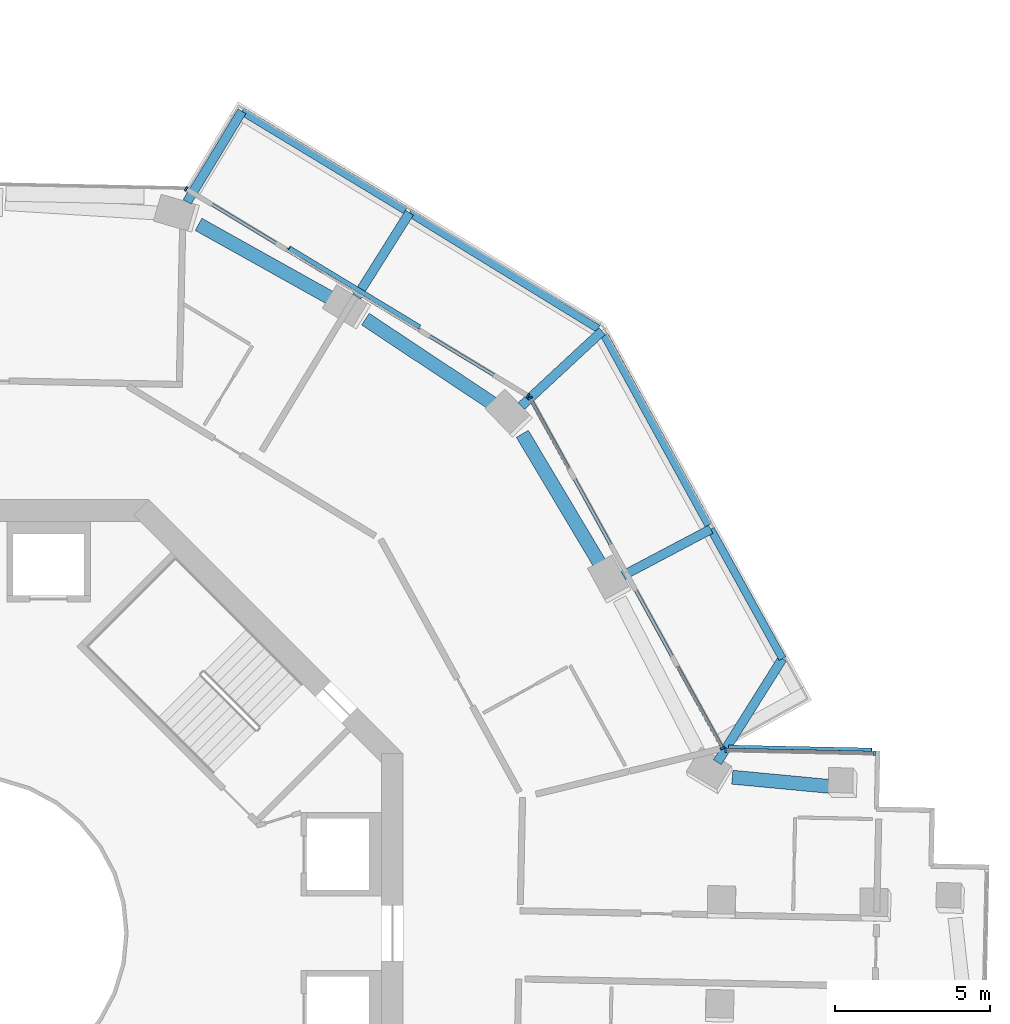
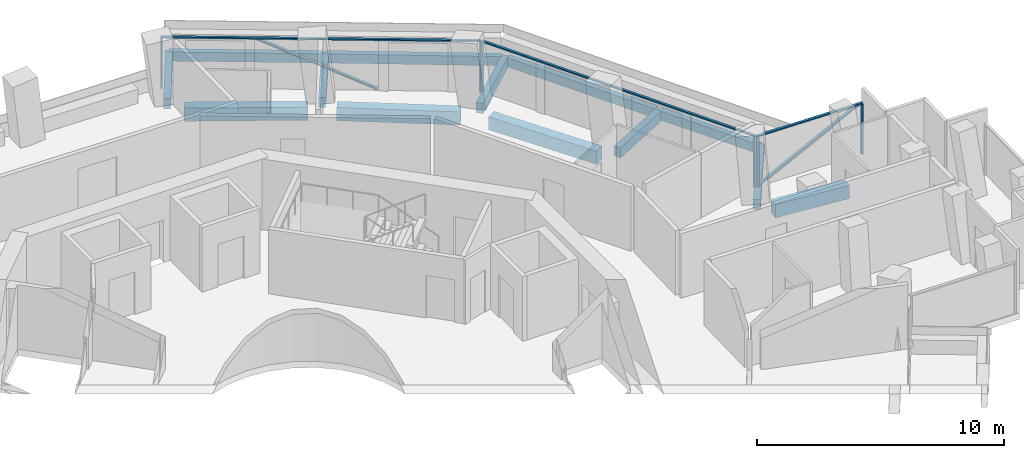
# One storey, part 9 of 22: 13 beams, 11 members, 3 elements without a shape of their own.
"""IFC4 building model written with IfcOpenShell, lengths in metres."""

from ifc_helpers import new_model, si_unit, direction, frame, origin, origin_2d, place, context, subcontext, project, spatial, rectangle, extrude, material, layer, layer_set, material_profile, profile_set, type_object, element, aggregate, save


model = new_model("IFC4")

# Units and contexts
model_context = context("Model", 3, precision=1e-05, world=origin(), true_north=direction((0.0, 1.0)))
body_context = subcontext(model_context, "Body", "Model", "MODEL_VIEW")
ifc_project = project(units=[si_unit("LENGTHUNIT", "METRE"), si_unit("AREAUNIT", "SQUARE_METRE"), si_unit("VOLUMEUNIT", "CUBIC_METRE"), si_unit("PLANEANGLEUNIT", "RADIAN"), si_unit("MASSUNIT", "GRAM", prefix="KILO")], contexts=[model_context])

# Site, building, storey
site_placement = place(None, origin())
site = spatial("IfcSite", under=ifc_project, at=site_placement, CompositionType="ELEMENT")
building_placement = place(site_placement, origin())
building = spatial("IfcBuilding", under=site, at=building_placement, Name="Verdalira Terraces Hotel", CompositionType="ELEMENT")
storey_placement = place(building_placement, frame((0.0, 0.0, 150.5)))
storey = spatial("IfcBuildingStorey", under=building, at=storey_placement, Name="L36", CompositionType="ELEMENT", Elevation=150.5)

# Beams
ifc_material_1 = material(Name="Concrete C40", Category="concrete")
ifc_material_profile_1 = material_profile(ifc_material_1, rectangle(XDim=0.300049, YDim=0.5, at=origin_2d()), Name="RC 300X500")
ifc_profile_set_1 = profile_set([ifc_material_profile_1], Name="Concrete C40")
beam_type_1 = type_object("IfcBeamType", Name="Balcony cantilever beam RC 300X500 C40", PredefinedType="BEAM", material=ifc_profile_set_1)
beam_1_placement = place(storey_placement, frame((24.145508, 5.526123, -0.560059), z_axis=(0.532280399, 0.846568117, 0.0), x_axis=(-0.846568117, 0.532280399, 0.0)))
element("IfcBeam", 1, at=beam_1_placement, inside=storey, type_object=beam_type_1, Name="Balcony cantilever beam R39-1", PredefinedType="BEAM", context=body_context, shape_type="SweptSolid", body=[
    extrude(rectangle(XDim=0.300049, YDim=0.5, at=origin_2d()), origin(), (0.0, 0.0, 1.0), 3.949951),
])
beam_2_placement = place(storey_placement, frame((21.102783, 11.552734, -0.560059), z_axis=(0.884243903, 0.467025396, 0.0), x_axis=(-0.467025396, 0.884243903, 0.0)))
element("IfcBeam", 2, at=beam_2_placement, inside=storey, type_object=beam_type_1, Name="Balcony cantilever beam R39-2", PredefinedType="BEAM", context=body_context, shape_type="SweptSolid", body=[
    extrude(rectangle(XDim=0.300049, YDim=0.5, at=origin_2d()), origin(), (0.0, 0.0, 1.0), 3.200928),
])
beam_3_placement = place(storey_placement, frame((17.815918, 17.024658, -0.560059), z_axis=(0.733238288, 0.679971773, 0.0), x_axis=(-0.679971773, 0.733238288, 0.0)))
element("IfcBeam", 3, at=beam_3_placement, inside=storey, type_object=beam_type_1, Name="Balcony cantilever beam R39-3", PredefinedType="BEAM", context=body_context, shape_type="SweptSolid", body=[
    extrude(rectangle(XDim=0.300049, YDim=0.5, at=origin_2d()), origin(), (0.0, 0.0, 1.0), 3.556641),
])
beam_4_placement = place(storey_placement, frame((12.499023, 20.556396, -0.560059), z_axis=(0.532307437, 0.846551116, 0.0), x_axis=(-0.846551116, 0.532307437, 0.0)))
element("IfcBeam", 4, at=beam_4_placement, inside=storey, type_object=beam_type_1, Name="Balcony cantilever beam R39-4", PredefinedType="BEAM", context=body_context, shape_type="SweptSolid", body=[
    extrude(rectangle(XDim=0.300049, YDim=0.5, at=origin_2d()), origin(), (0.0, 0.0, 1.0), 3.200928),
])
beam_5_placement = place(storey_placement, frame((7.02417, 23.618408, -0.560059), z_axis=(0.51802144, 0.855367633, 0.0), x_axis=(-0.855367633, 0.51802144, 0.0)))
element("IfcBeam", 5, at=beam_5_placement, inside=storey, type_object=beam_type_1, Name="Balcony cantilever beam R39-5", PredefinedType="BEAM", context=body_context, shape_type="SweptSolid", body=[
    extrude(rectangle(XDim=0.300049, YDim=0.5, at=origin_2d()), origin(), (0.0, 0.0, 1.0), 3.417236),
])
ifc_material_2 = material(Name="Concrete C40", Category="concrete")
ifc_material_profile_2 = material_profile(ifc_material_2, rectangle(XDim=0.25, YDim=0.449951, at=origin_2d()), Name="RC 250X450")
ifc_profile_set_2 = profile_set([ifc_material_profile_2], Name="Concrete C40")
beam_type_2 = type_object("IfcBeamType", Name="Balcony edge beam RC 250X450 C40", PredefinedType="BEAM", material=ifc_profile_set_2)
beam_6_placement = place(storey_placement, frame((26.248047, 8.870117, -0.534912), z_axis=(-0.484700824, 0.874680005, 0.0), x_axis=(-0.874680005, -0.484700824, 0.0)))
element("IfcBeam", 6, at=beam_6_placement, inside=storey, type_object=beam_type_2, Name="Balcony edge beam R39-1", PredefinedType="BEAM", context=body_context, shape_type="SweptSolid", body=[
    extrude(rectangle(XDim=0.25, YDim=0.449951, at=origin_2d()), origin(), (0.0, 0.0, 1.0), 4.776123),
])
beam_7_placement = place(storey_placement, frame((23.86084, 13.178955, -0.534912), z_axis=(-0.481030949, 0.876703614, 0.0), x_axis=(-0.876703614, -0.481030949, 0.0)))
element("IfcBeam", 7, at=beam_7_placement, inside=storey, type_object=beam_type_2, Name="Balcony edge beam R39-2", PredefinedType="BEAM", context=body_context, shape_type="SweptSolid", body=[
    extrude(rectangle(XDim=0.25, YDim=0.449951, at=origin_2d()), origin(), (0.0, 0.0, 1.0), 6.990234),
])
beam_8_placement = place(storey_placement, frame((20.29126, 19.524658, -0.534912), z_axis=(-0.851985423, 0.523565507, 0.0), x_axis=(-0.523565507, -0.851985423, 0.0)))
element("IfcBeam", 8, at=beam_8_placement, inside=storey, type_object=beam_type_2, Name="Balcony edge beam R39-3", PredefinedType="BEAM", context=body_context, shape_type="SweptSolid", body=[
    extrude(rectangle(XDim=0.25, YDim=0.449951, at=origin_2d()), origin(), (0.0, 0.0, 1.0), 7.145996),
])
beam_9_placement = place(storey_placement, frame((14.074463, 23.34375, -0.534912), z_axis=(-0.855360348, 0.518033469, 0.0), x_axis=(-0.518033469, -0.855360348, 0.0)))
element("IfcBeam", 9, at=beam_9_placement, inside=storey, type_object=beam_type_2, Name="Balcony edge beam R39-4", PredefinedType="BEAM", context=body_context, shape_type="SweptSolid", body=[
    extrude(rectangle(XDim=0.25, YDim=0.449951, at=origin_2d()), origin(), (0.0, 0.0, 1.0), 6.172852),
])

# Curtain wall, members
ifc_material_3 = material(Name="Clear glass", Category="glass")
ifc_layer_1 = layer(ifc_material_3, 0.14990234375)
ifc_layer_set_1 = layer_set([ifc_layer_1], Name="CW1 curtain wall")
curtain_wall_type_1 = type_object("IfcCurtainWallType", Name="CW1 curtain wall", PredefinedType="NOTDEFINED", material=ifc_layer_set_1)
curtain_wall_1_placement = place(storey_placement, origin())
curtain_wall_1 = element("IfcCurtainWall", 10, at=curtain_wall_1_placement, inside=storey, type_object=curtain_wall_type_1, Name="CW1 curtain wall L36 edge 39", PredefinedType="NOTDEFINED")
ifc_material_4 = material(Name="Terracotta frame", Category="masonry")
ifc_material_profile_3 = material_profile(ifc_material_4, rectangle(XDim=0.060059, YDim=0.149902, at=origin_2d()), Name="MU 60x150")
ifc_profile_set_3 = profile_set([ifc_material_profile_3], Name="Terracotta frame")
member_type_1 = type_object("IfcMemberType", Name="CW1 mullion 60x150", PredefinedType="MULLION", material=ifc_profile_set_3)
member_1_placement = place(storey_placement, frame((24.309082, 5.980713, 0.0), z_axis=(0.0, 0.0, 1.0), x_axis=(-0.481753674, 0.87630668, 0.0)))
member_1 = element("IfcMember", 11, at=member_1_placement, type_object=member_type_1, Name="CW1 mullion", PredefinedType="MULLION", context=body_context, shape_type="SweptSolid", body=[
    extrude(rectangle(XDim=0.060059, YDim=0.149902, at=origin_2d()), origin(), (0.0, 0.0, 1.0), 2.475098),
])
member_2_placement = place(storey_placement, frame((18.094482, 17.284912, 0.0), z_axis=(0.0, 0.0, 1.0), x_axis=(-0.481753674, 0.87630668, 0.0)))
member_2 = element("IfcMember", 12, at=member_2_placement, type_object=member_type_1, Name="CW1 mullion", PredefinedType="MULLION", context=body_context, shape_type="SweptSolid", body=[
    extrude(rectangle(XDim=0.060059, YDim=0.149902, at=origin_2d()), origin(), (0.0, 0.0, 1.0), 2.475098),
])

curtain_wall_2_placement = place(storey_placement, origin())
curtain_wall_2 = element("IfcCurtainWall", 13, at=curtain_wall_2_placement, inside=storey, type_object=curtain_wall_type_1, Name="CW1 curtain wall L36 edge 40", PredefinedType="NOTDEFINED")
member_3_placement = place(storey_placement, frame((18.027344, 17.354736, 0.0), z_axis=(0.0, 0.0, 1.0), x_axis=(-0.85536426, 0.518027009, 0.0)))
member_3 = element("IfcMember", 14, at=member_3_placement, type_object=member_type_1, Name="CW1 mullion", PredefinedType="MULLION", context=body_context, shape_type="SweptSolid", body=[
    extrude(rectangle(XDim=0.060059, YDim=0.149902, at=origin_2d()), origin(), (0.0, 0.0, 1.0), 2.475098),
])
member_4_placement = place(storey_placement, frame((6.993408, 24.037109, 0.0), z_axis=(0.0, 0.0, 1.0), x_axis=(-0.85536426, 0.518027009, 0.0)))
member_4 = element("IfcMember", 15, at=member_4_placement, type_object=member_type_1, Name="CW1 mullion", PredefinedType="MULLION", context=body_context, shape_type="SweptSolid", body=[
    extrude(rectangle(XDim=0.060059, YDim=0.149902, at=origin_2d()), origin(), (0.0, 0.0, 1.0), 2.475098),
])

# Member
ifc_material_5 = material(Name="Terracotta frame", Category="masonry")
ifc_material_profile_4 = material_profile(ifc_material_5, rectangle(XDim=0.110107, YDim=0.064941, at=origin_2d()), Name="TR 65x110")
ifc_profile_set_4 = profile_set([ifc_material_profile_4], Name="Terracotta frame")
member_type_2 = type_object("IfcMemberType", Name="CW1 transom 65x110", PredefinedType="USERDEFINED", material=ifc_profile_set_4)
member_5_placement = place(storey_placement, frame((24.323486, 5.954346, 2.507568), z_axis=(-0.48174663, 0.876310552, 0.0), x_axis=(-0.876310552, -0.48174663, 0.0)))
member_5 = element("IfcMember", 16, at=member_5_placement, type_object=member_type_2, Name="CW1 transom", ObjectType="TRANSOM", PredefinedType="USERDEFINED", context=body_context, shape_type="SweptSolid", body=[
    extrude(rectangle(XDim=0.110107, YDim=0.064941, at=origin_2d()), origin(), (0.0, 0.0, 1.0), 12.959961),
])

aggregate(curtain_wall_1, [member_1, member_2, member_5])

member_6_placement = place(storey_placement, frame((18.053223, 17.339111, 2.507568), z_axis=(-0.855363017, 0.518029062, 0.0), x_axis=(-0.518029062, -0.855363017, 0.0)))
member_6 = element("IfcMember", 17, at=member_6_placement, type_object=member_type_2, Name="CW1 transom", ObjectType="TRANSOM", PredefinedType="USERDEFINED", context=body_context, shape_type="SweptSolid", body=[
    extrude(rectangle(XDim=0.110107, YDim=0.064941, at=origin_2d()), origin(), (0.0, 0.0, 1.0), 12.959961),
])

# Curtain wall, members
ifc_material_6 = material(Name="Clear glass", Category="glass")
ifc_layer_2 = layer(ifc_material_6, 0.14990234375)
ifc_layer_set_2 = layer_set([ifc_layer_2], Name="CW2 curtain wall")
curtain_wall_type_2 = type_object("IfcCurtainWallType", Name="CW2 curtain wall", PredefinedType="NOTDEFINED", material=ifc_layer_set_2)
curtain_wall_3_placement = place(storey_placement, origin())
curtain_wall_3 = element("IfcCurtainWall", 18, at=curtain_wall_3_placement, inside=storey, type_object=curtain_wall_type_2, Name="CW2 curtain wall L36 edge 38", PredefinedType="NOTDEFINED")
ifc_material_7 = material(Name="Terracotta frame", Category="masonry")
ifc_material_profile_5 = material_profile(ifc_material_7, rectangle(XDim=0.070068, YDim=0.149902, at=origin_2d()), Name="MU 70x150")
ifc_profile_set_5 = profile_set([ifc_material_profile_5], Name="Terracotta frame")
member_type_3 = type_object("IfcMemberType", Name="CW2 mullion 70x150", PredefinedType="MULLION", material=ifc_profile_set_5)
member_7_placement = place(storey_placement, frame((29.214111, 5.814453, 0.0), z_axis=(0.0, 0.0, 1.0), x_axis=(-0.999780683, 0.02094242, 0.0)))
member_7 = element("IfcMember", 19, at=member_7_placement, type_object=member_type_3, Name="CW2 mullion", PredefinedType="MULLION", context=body_context, shape_type="SweptSolid", body=[
    extrude(rectangle(XDim=0.070068, YDim=0.149902, at=origin_2d()), origin(), (0.0, 0.0, 1.0), 2.475098),
])
member_8_placement = place(storey_placement, frame((24.422607, 5.914795, 0.0), z_axis=(0.0, 0.0, 1.0), x_axis=(-0.999780683, 0.02094242, 0.0)))
member_8 = element("IfcMember", 20, at=member_8_placement, type_object=member_type_3, Name="CW2 mullion", PredefinedType="MULLION", context=body_context, shape_type="SweptSolid", body=[
    extrude(rectangle(XDim=0.070068, YDim=0.149902, at=origin_2d()), origin(), (0.0, 0.0, 1.0), 2.475098),
])
ifc_material_8 = material(Name="Terracotta frame", Category="masonry")
ifc_material_profile_6 = material_profile(ifc_material_8, rectangle(XDim=0.11499, YDim=0.064941, at=origin_2d()), Name="TR 65x115")
ifc_profile_set_6 = profile_set([ifc_material_profile_6], Name="Terracotta frame")
member_type_4 = type_object("IfcMemberType", Name="CW2 transom 65x115", PredefinedType="USERDEFINED", material=ifc_profile_set_6)
member_9_placement = place(storey_placement, frame((29.249023, 5.813721, 2.507568), z_axis=(-0.999780807, 0.020936504, 0.0), x_axis=(-0.020936504, -0.999780807, 0.0)))
member_9 = element("IfcMember", 21, at=member_9_placement, type_object=member_type_4, Name="CW2 transom", ObjectType="TRANSOM", PredefinedType="USERDEFINED", context=body_context, shape_type="SweptSolid", body=[
    extrude(rectangle(XDim=0.11499, YDim=0.064941, at=origin_2d()), origin(), (0.0, 0.0, 1.0), 4.862549),
])
ifc_material_9 = material(Name="Terracotta frame", Category="masonry")
ifc_material_profile_7 = material_profile(ifc_material_9, rectangle(XDim=0.149902, YDim=0.060059, at=origin_2d()), Name="GB 60x150")
ifc_profile_set_7 = profile_set([ifc_material_profile_7], Name="Terracotta frame")
member_type_5 = type_object("IfcMemberType", Name="Diagonal glazing bar 60x150", PredefinedType="USERDEFINED", material=ifc_profile_set_7)
member_10_placement = place(storey_placement, frame((29.128418, 5.907227, 2.44751), z_axis=(-0.885538905, 0.018545317, -0.464194914), x_axis=(-0.020937817, -0.99978078, 0.0)))
member_10 = element("IfcMember", 22, at=member_10_placement, type_object=member_type_5, Name="Diagonal glazing bar", ObjectType="GLAZING BAR", PredefinedType="USERDEFINED", context=body_context, shape_type="SweptSolid", body=[
    extrude(rectangle(XDim=0.149902, YDim=0.060059, at=origin_2d()), origin(), (0.0, 0.0, 1.0), 5.213135),
])
aggregate(curtain_wall_3, [member_7, member_8, member_9, member_10])

# Member
member_11_placement = place(storey_placement, frame((14.520264, 19.582764, 0.027832), z_axis=(-0.767241779, 0.464654362, 0.442081867), x_axis=(-0.518023929, -0.855366125, 0.0)))
member_11 = element("IfcMember", 23, at=member_11_placement, type_object=member_type_5, Name="Diagonal glazing bar", ObjectType="GLAZING BAR", PredefinedType="USERDEFINED", context=body_context, shape_type="SweptSolid", body=[
    extrude(rectangle(XDim=0.149902, YDim=0.060059, at=origin_2d()), origin(), (0.0, 0.0, 1.0), 5.4729),
])

aggregate(curtain_wall_2, [member_3, member_4, member_6, member_11])

# Beams
ifc_material_10 = material(Name="Concrete C50", Category="concrete")
ifc_material_profile_8 = material_profile(ifc_material_10, rectangle(XDim=0.449951, YDim=0.649902, at=origin_2d()), Name="RC 450X650")
ifc_profile_set_8 = profile_set([ifc_material_profile_8], Name="Concrete C50")
beam_type_3 = type_object("IfcBeamType", Name="Spandrel beam RC 450X650 C50", PredefinedType="SPANDREL", material=ifc_profile_set_8)
beam_10_placement = place(storey_placement, frame((27.895996, 4.731201, -0.63501), z_axis=(-0.995560726, 0.094121416, 0.0), x_axis=(-0.094121416, -0.995560726, 0.0)))
element("IfcBeam", 24, at=beam_10_placement, inside=storey, type_object=beam_type_3, Name="Spandrel beam B17", PredefinedType="SPANDREL", context=body_context, shape_type="SweptSolid", body=[
    extrude(rectangle(XDim=0.449951, YDim=0.649902, at=origin_2d()), origin(), (0.0, 0.0, 1.0), 3.283936),
])
beam_11_placement = place(storey_placement, frame((20.416016, 11.823486, -0.63501), z_axis=(-0.512381036, 0.858758216, 0.0), x_axis=(-0.858758216, -0.512381036, 0.0)))
element("IfcBeam", 25, at=beam_11_placement, inside=storey, type_object=beam_type_3, Name="Spandrel beam B19", PredefinedType="SPANDREL", context=body_context, shape_type="SweptSolid", body=[
    extrude(rectangle(XDim=0.449951, YDim=0.649902, at=origin_2d()), origin(), (0.0, 0.0, 1.0), 5.012207),
])
beam_12_placement = place(storey_placement, frame((16.958008, 17.058838, -0.63501), z_axis=(-0.83322419, 0.552935303, 0.0), x_axis=(-0.552935303, -0.83322419, 0.0)))
element("IfcBeam", 26, at=beam_12_placement, inside=storey, type_object=beam_type_3, Name="Spandrel beam B20", PredefinedType="SPANDREL", context=body_context, shape_type="SweptSolid", body=[
    extrude(rectangle(XDim=0.449951, YDim=0.649902, at=origin_2d()), origin(), (0.0, 0.0, 1.0), 5.015381),
])
beam_13_placement = place(storey_placement, frame((11.769043, 20.44751, -0.63501), z_axis=(-0.87310754, 0.487527664, 0.0), x_axis=(-0.487527664, -0.87310754, 0.0)))
element("IfcBeam", 27, at=beam_13_placement, inside=storey, type_object=beam_type_3, Name="Spandrel beam B21", PredefinedType="SPANDREL", context=body_context, shape_type="SweptSolid", body=[
    extrude(rectangle(XDim=0.449951, YDim=0.649902, at=origin_2d()), origin(), (0.0, 0.0, 1.0), 5.012207),
])

save(model, "model.ifc")
